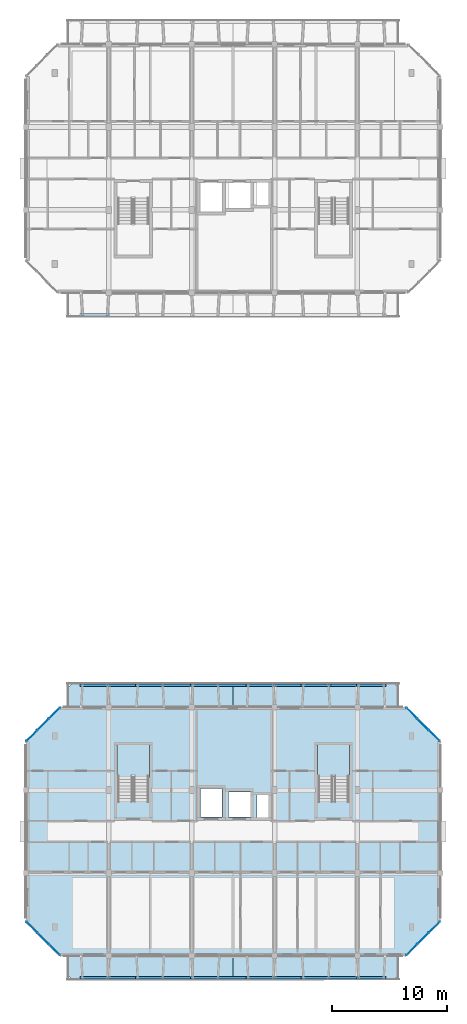
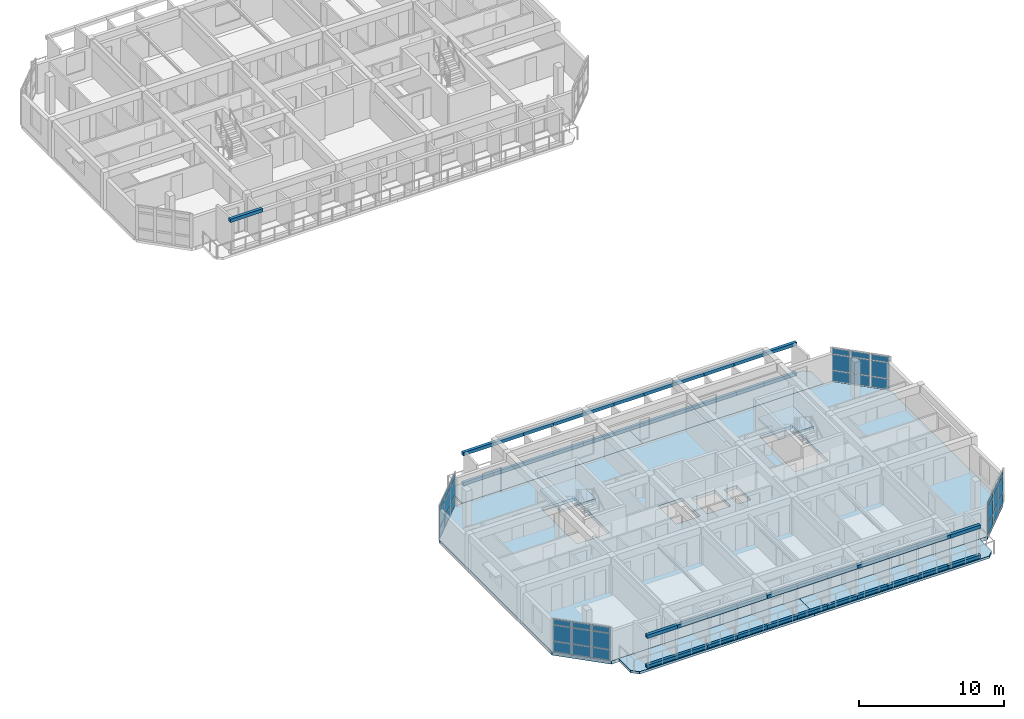
# One storey, part 6 of 22: 81 plates, 7 slabs, 6 elements without a shape of their own.
"""IFC4 building model written with IfcOpenShell, lengths in metres."""

from ifc_helpers import new_model, si_unit, direction, frame, origin, origin_2d, place, context, subcontext, project, spatial, polyline, rectangle, outline, extrude, material, layer, layer_set, type_object, element, aggregate, save


model = new_model("IFC4")

# Units and contexts
model_context = context("Model", 3, precision=1e-05, world=origin(), true_north=direction((0.0, 1.0)))
body_context = subcontext(model_context, "Body", "Model", "MODEL_VIEW")
ifc_project = project(units=[si_unit("LENGTHUNIT", "METRE"), si_unit("AREAUNIT", "SQUARE_METRE"), si_unit("VOLUMEUNIT", "CUBIC_METRE"), si_unit("PLANEANGLEUNIT", "RADIAN"), si_unit("MASSUNIT", "GRAM", prefix="KILO")], contexts=[model_context])

# Site, building, storey
site_placement = place(None, origin())
site = spatial("IfcSite", under=ifc_project, at=site_placement, CompositionType="ELEMENT")
building_placement = place(site_placement, origin())
building = spatial("IfcBuilding", under=site, at=building_placement, Name="Ochrevale Crest", CompositionType="ELEMENT")
storey_placement = place(building_placement, frame((0.0, 0.0, 40.199951171875)))
storey = spatial("IfcBuildingStorey", under=building, at=storey_placement, Name="L12", CompositionType="ELEMENT", Elevation=40.199951171875)

# Curtain wall, plates
ifc_material_1 = material(Name="Anodised aluminium 6063-T5", Category="aluminium")
ifc_layer_1 = layer(ifc_material_1, 0.14990234375)
ifc_layer_set_1 = layer_set([ifc_layer_1], Name="Anodised aluminium 6063-T5")
curtain_wall_type_1 = type_object("IfcCurtainWallType", Name="CW-WG-420x285", PredefinedType="NOTDEFINED", material=ifc_layer_set_1)
curtain_wall_1_placement = place(storey_placement, origin())
curtain_wall_1 = element("IfcCurtainWall", 1, at=curtain_wall_1_placement, inside=storey, type_object=curtain_wall_type_1, Name="Block C L12 chamfered corner wintergarden curtain wall 2", PredefinedType="NOTDEFINED")
ifc_material_2 = material(Name="Double-glazed low-E insulated glass unit", Category="glass")
ifc_layer_2 = layer(ifc_material_2, 0.028076171875)
ifc_layer_set_2 = layer_set([ifc_layer_2], Name="Double-glazed low-E insulated glass unit")
plate_type_1 = type_object("IfcPlateType", Name="CW-PNL-IGU28", PredefinedType="CURTAIN_PANEL", material=ifc_layer_set_2)
plate_1_placement = place(storey_placement, frame((163.11328125, 14.913330078125, 0.06005859375), z_axis=(0.0, 0.0, 1.0), x_axis=(0.707106781187, 0.707106781187, 0.0)))
plate_1 = element("IfcPlate", 2, at=plate_1_placement, type_object=plate_type_1, Name="CW22 panel 1.1", PredefinedType="CURTAIN_PANEL", context=body_context, shape_type="SweptSolid", body=[
    extrude(rectangle(XDim=1.3017578125, YDim=0.028076171875, at=origin_2d()), origin(), (0.0, 0.0, 1.0), 0.860107421875),
])
plate_2_placement = place(storey_placement, frame((163.11328125, 14.913330078125, 0.97998046875), z_axis=(0.0, 0.0, 1.0), x_axis=(0.707106781187, 0.707106781187, 0.0)))
plate_2 = element("IfcPlate", 3, at=plate_2_placement, type_object=plate_type_1, Name="CW22 panel 1.2", PredefinedType="CURTAIN_PANEL", context=body_context, shape_type="SweptSolid", body=[
    extrude(rectangle(XDim=1.3017578125, YDim=0.028076171875, at=origin_2d()), origin(), (0.0, 0.0, 1.0), 1.31494140625),
])
plate_3_placement = place(storey_placement, frame((163.11328125, 14.913330078125, 2.35498046875), z_axis=(0.0, 0.0, 1.0), x_axis=(0.707106781187, 0.707106781187, 0.0)))
plate_3 = element("IfcPlate", 4, at=plate_3_placement, type_object=plate_type_1, Name="CW22 panel 1.3", PredefinedType="CURTAIN_PANEL", context=body_context, shape_type="SweptSolid", body=[
    extrude(rectangle(XDim=1.3017578125, YDim=0.028076171875, at=origin_2d()), origin(), (0.0, 0.0, 1.0), 0.4599609375),
])
plate_4_placement = place(storey_placement, frame((164.10009765625, 15.89990234375, 0.06005859375), z_axis=(0.0, 0.0, 1.0), x_axis=(0.707106781187, 0.707106781187, 0.0)))
plate_4 = element("IfcPlate", 5, at=plate_4_placement, type_object=plate_type_1, Name="CW22 panel 2.1", PredefinedType="CURTAIN_PANEL", context=body_context, shape_type="SweptSolid", body=[
    extrude(rectangle(XDim=1.339111328125, YDim=0.028076171875, at=origin_2d()), origin(), (0.0, 0.0, 1.0), 0.860107421875),
])
plate_5_placement = place(storey_placement, frame((164.10009765625, 15.89990234375, 0.97998046875), z_axis=(0.0, 0.0, 1.0), x_axis=(0.707106781187, 0.707106781187, 0.0)))
plate_5 = element("IfcPlate", 6, at=plate_5_placement, type_object=plate_type_1, Name="CW22 panel 2.2", PredefinedType="CURTAIN_PANEL", context=body_context, shape_type="SweptSolid", body=[
    extrude(rectangle(XDim=1.339111328125, YDim=0.028076171875, at=origin_2d()), origin(), (0.0, 0.0, 1.0), 1.31494140625),
])
plate_6_placement = place(storey_placement, frame((164.10009765625, 15.89990234375, 2.35498046875), z_axis=(0.0, 0.0, 1.0), x_axis=(0.707106781187, 0.707106781187, 0.0)))
plate_6 = element("IfcPlate", 7, at=plate_6_placement, type_object=plate_type_1, Name="CW22 panel 2.3", PredefinedType="CURTAIN_PANEL", context=body_context, shape_type="SweptSolid", body=[
    extrude(rectangle(XDim=1.339111328125, YDim=0.028076171875, at=origin_2d()), origin(), (0.0, 0.0, 1.0), 0.4599609375),
])
plate_7_placement = place(storey_placement, frame((165.086669921875, 16.88671875, 0.06005859375), z_axis=(0.0, 0.0, 1.0), x_axis=(0.707106781187, 0.707106781187, 0.0)))
plate_7 = element("IfcPlate", 8, at=plate_7_placement, type_object=plate_type_1, Name="CW22 panel 3.1", PredefinedType="CURTAIN_PANEL", context=body_context, shape_type="SweptSolid", body=[
    extrude(rectangle(XDim=1.3017578125, YDim=0.028076171875, at=origin_2d()), origin(), (0.0, 0.0, 1.0), 0.860107421875),
])
plate_8_placement = place(storey_placement, frame((165.086669921875, 16.88671875, 0.97998046875), z_axis=(0.0, 0.0, 1.0), x_axis=(0.707106781187, 0.707106781187, 0.0)))
plate_8 = element("IfcPlate", 9, at=plate_8_placement, type_object=plate_type_1, Name="CW22 panel 3.2", PredefinedType="CURTAIN_PANEL", context=body_context, shape_type="SweptSolid", body=[
    extrude(rectangle(XDim=1.3017578125, YDim=0.028076171875, at=origin_2d()), origin(), (0.0, 0.0, 1.0), 1.31494140625),
])
plate_9_placement = place(storey_placement, frame((165.086669921875, 16.88671875, 2.35498046875), z_axis=(0.0, 0.0, 1.0), x_axis=(0.707106781187, 0.707106781187, 0.0)))
plate_9 = element("IfcPlate", 10, at=plate_9_placement, type_object=plate_type_1, Name="CW22 panel 3.3", PredefinedType="CURTAIN_PANEL", context=body_context, shape_type="SweptSolid", body=[
    extrude(rectangle(XDim=1.3017578125, YDim=0.028076171875, at=origin_2d()), origin(), (0.0, 0.0, 1.0), 0.4599609375),
])
aggregate(curtain_wall_1, [plate_1, plate_2, plate_3, plate_4, plate_5, plate_6, plate_7, plate_8, plate_9])

ifc_layer_3 = layer(ifc_material_1, 0.14990234375)
ifc_layer_set_3 = layer_set([ifc_layer_3], Name="Anodised aluminium 6063-T5")
curtain_wall_type_2 = type_object("IfcCurtainWallType", Name="CW-WG-240x285", PredefinedType="NOTDEFINED", material=ifc_layer_set_3)
curtain_wall_2_placement = place(storey_placement, origin())
curtain_wall_2 = element("IfcCurtainWall", 11, at=curtain_wall_2_placement, inside=storey, type_object=curtain_wall_type_2, Name="Block C L12 chamfered corner wintergarden curtain wall 8", PredefinedType="NOTDEFINED")
plate_10_placement = place(storey_placement, frame((130.11328125, 16.88671875, 0.06005859375), z_axis=(0.0, 0.0, 1.0), x_axis=(0.707106781187, -0.707106781187, 0.0)))
plate_10 = element("IfcPlate", 12, at=plate_10_placement, type_object=plate_type_1, Name="CW15 panel 1.1", PredefinedType="CURTAIN_PANEL", context=body_context, shape_type="SweptSolid", body=[
    extrude(rectangle(XDim=1.3017578125, YDim=0.028076171875, at=origin_2d()), origin(), (0.0, 0.0, 1.0), 0.860107421875),
])
plate_11_placement = place(storey_placement, frame((130.11328125, 16.88671875, 0.97998046875), z_axis=(0.0, 0.0, 1.0), x_axis=(0.707106781187, -0.707106781187, 0.0)))
plate_11 = element("IfcPlate", 13, at=plate_11_placement, type_object=plate_type_1, Name="CW15 panel 1.2", PredefinedType="CURTAIN_PANEL", context=body_context, shape_type="SweptSolid", body=[
    extrude(rectangle(XDim=1.3017578125, YDim=0.028076171875, at=origin_2d()), origin(), (0.0, 0.0, 1.0), 1.31494140625),
])
plate_12_placement = place(storey_placement, frame((130.11328125, 16.88671875, 2.35498046875), z_axis=(0.0, 0.0, 1.0), x_axis=(0.707106781187, -0.707106781187, 0.0)))
plate_12 = element("IfcPlate", 14, at=plate_12_placement, type_object=plate_type_1, Name="CW15 panel 1.3", PredefinedType="CURTAIN_PANEL", context=body_context, shape_type="SweptSolid", body=[
    extrude(rectangle(XDim=1.3017578125, YDim=0.028076171875, at=origin_2d()), origin(), (0.0, 0.0, 1.0), 0.4599609375),
])
plate_13_placement = place(storey_placement, frame((131.10009765625, 15.89990234375, 0.06005859375), z_axis=(0.0, 0.0, 1.0), x_axis=(0.707106781187, -0.707106781187, 0.0)))
plate_13 = element("IfcPlate", 15, at=plate_13_placement, type_object=plate_type_1, Name="CW15 panel 2.1", PredefinedType="CURTAIN_PANEL", context=body_context, shape_type="SweptSolid", body=[
    extrude(rectangle(XDim=1.339111328125, YDim=0.028076171875, at=origin_2d()), origin(), (0.0, 0.0, 1.0), 0.860107421875),
])
plate_14_placement = place(storey_placement, frame((131.10009765625, 15.89990234375, 0.97998046875), z_axis=(0.0, 0.0, 1.0), x_axis=(0.707106781187, -0.707106781187, 0.0)))
plate_14 = element("IfcPlate", 16, at=plate_14_placement, type_object=plate_type_1, Name="CW15 panel 2.2", PredefinedType="CURTAIN_PANEL", context=body_context, shape_type="SweptSolid", body=[
    extrude(rectangle(XDim=1.339111328125, YDim=0.028076171875, at=origin_2d()), origin(), (0.0, 0.0, 1.0), 1.31494140625),
])
plate_15_placement = place(storey_placement, frame((131.10009765625, 15.89990234375, 2.35498046875), z_axis=(0.0, 0.0, 1.0), x_axis=(0.707106781187, -0.707106781187, 0.0)))
plate_15 = element("IfcPlate", 17, at=plate_15_placement, type_object=plate_type_1, Name="CW15 panel 2.3", PredefinedType="CURTAIN_PANEL", context=body_context, shape_type="SweptSolid", body=[
    extrude(rectangle(XDim=1.339111328125, YDim=0.028076171875, at=origin_2d()), origin(), (0.0, 0.0, 1.0), 0.4599609375),
])
plate_16_placement = place(storey_placement, frame((132.086669921875, 14.913330078125, 0.06005859375), z_axis=(0.0, 0.0, 1.0), x_axis=(0.707106781187, -0.707106781187, 0.0)))
plate_16 = element("IfcPlate", 18, at=plate_16_placement, type_object=plate_type_1, Name="CW15 panel 3.1", PredefinedType="CURTAIN_PANEL", context=body_context, shape_type="SweptSolid", body=[
    extrude(rectangle(XDim=1.3017578125, YDim=0.028076171875, at=origin_2d()), origin(), (0.0, 0.0, 1.0), 0.860107421875),
])
plate_17_placement = place(storey_placement, frame((132.086669921875, 14.913330078125, 0.97998046875), z_axis=(0.0, 0.0, 1.0), x_axis=(0.707106781187, -0.707106781187, 0.0)))
plate_17 = element("IfcPlate", 19, at=plate_17_placement, type_object=plate_type_1, Name="CW15 panel 3.2", PredefinedType="CURTAIN_PANEL", context=body_context, shape_type="SweptSolid", body=[
    extrude(rectangle(XDim=1.3017578125, YDim=0.028076171875, at=origin_2d()), origin(), (0.0, 0.0, 1.0), 1.31494140625),
])
plate_18_placement = place(storey_placement, frame((132.086669921875, 14.913330078125, 2.35498046875), z_axis=(0.0, 0.0, 1.0), x_axis=(0.707106781187, -0.707106781187, 0.0)))
plate_18 = element("IfcPlate", 20, at=plate_18_placement, type_object=plate_type_1, Name="CW15 panel 3.3", PredefinedType="CURTAIN_PANEL", context=body_context, shape_type="SweptSolid", body=[
    extrude(rectangle(XDim=1.3017578125, YDim=0.028076171875, at=origin_2d()), origin(), (0.0, 0.0, 1.0), 0.4599609375),
])
aggregate(curtain_wall_2, [plate_10, plate_11, plate_12, plate_13, plate_14, plate_15, plate_16, plate_17, plate_18])

ifc_layer_4 = layer(ifc_material_1, 0.14990234375)
ifc_layer_set_4 = layer_set([ifc_layer_4], Name="Anodised aluminium 6063-T5")
curtain_wall_type_3 = type_object("IfcCurtainWallType", Name="CW-WG-280x285", PredefinedType="NOTDEFINED", material=ifc_layer_set_4)
curtain_wall_3_placement = place(storey_placement, origin())
curtain_wall_3 = element("IfcCurtainWall", 21, at=curtain_wall_3_placement, inside=storey, type_object=curtain_wall_type_3, Name="Block C L12 chamfered corner wintergarden curtain wall 4", PredefinedType="NOTDEFINED")
ifc_material_3 = material(Name="Acoustic laminated low-E insulated glass unit", Category="glass")
ifc_layer_5 = layer(ifc_material_3, 0.0380859375)
ifc_layer_set_5 = layer_set([ifc_layer_5], Name="Acoustic laminated low-E insulated glass unit")
plate_type_2 = type_object("IfcPlateType", Name="CW-PNL-IGU38", PredefinedType="CURTAIN_PANEL", material=ifc_layer_set_5)
plate_19_placement = place(storey_placement, frame((165.086669921875, 33.51318359375, 0.06005859375), z_axis=(0.0, 0.0, 1.0), x_axis=(-0.707106781187, 0.707106781187, 0.0)))
plate_19 = element("IfcPlate", 22, at=plate_19_placement, type_object=plate_type_2, Name="CW16 panel 1.1", PredefinedType="CURTAIN_PANEL", context=body_context, shape_type="SweptSolid", body=[
    extrude(rectangle(XDim=1.3017578125, YDim=0.0380859375, at=origin_2d()), origin(), (0.0, 0.0, 1.0), 0.860107421875),
])
plate_20_placement = place(storey_placement, frame((165.086669921875, 33.51318359375, 0.97998046875), z_axis=(0.0, 0.0, 1.0), x_axis=(-0.707106781187, 0.707106781187, 0.0)))
plate_20 = element("IfcPlate", 23, at=plate_20_placement, type_object=plate_type_2, Name="CW16 panel 1.2", PredefinedType="CURTAIN_PANEL", context=body_context, shape_type="SweptSolid", body=[
    extrude(rectangle(XDim=1.3017578125, YDim=0.0380859375, at=origin_2d()), origin(), (0.0, 0.0, 1.0), 1.31494140625),
])
plate_21_placement = place(storey_placement, frame((165.086669921875, 33.51318359375, 2.35498046875), z_axis=(0.0, 0.0, 1.0), x_axis=(-0.707106781187, 0.707106781187, 0.0)))
plate_21 = element("IfcPlate", 24, at=plate_21_placement, type_object=plate_type_2, Name="CW16 panel 1.3", PredefinedType="CURTAIN_PANEL", context=body_context, shape_type="SweptSolid", body=[
    extrude(rectangle(XDim=1.3017578125, YDim=0.0380859375, at=origin_2d()), origin(), (0.0, 0.0, 1.0), 0.4599609375),
])
plate_22_placement = place(storey_placement, frame((164.10009765625, 34.5, 0.06005859375), z_axis=(0.0, 0.0, 1.0), x_axis=(-0.707106781187, 0.707106781187, 0.0)))
plate_22 = element("IfcPlate", 25, at=plate_22_placement, type_object=plate_type_2, Name="CW16 panel 2.1", PredefinedType="CURTAIN_PANEL", context=body_context, shape_type="SweptSolid", body=[
    extrude(rectangle(XDim=1.339111328125, YDim=0.0380859375, at=origin_2d()), origin(), (0.0, 0.0, 1.0), 0.860107421875),
])
plate_23_placement = place(storey_placement, frame((164.10009765625, 34.5, 0.97998046875), z_axis=(0.0, 0.0, 1.0), x_axis=(-0.707106781187, 0.707106781187, 0.0)))
plate_23 = element("IfcPlate", 26, at=plate_23_placement, type_object=plate_type_2, Name="CW16 panel 2.2", PredefinedType="CURTAIN_PANEL", context=body_context, shape_type="SweptSolid", body=[
    extrude(rectangle(XDim=1.339111328125, YDim=0.0380859375, at=origin_2d()), origin(), (0.0, 0.0, 1.0), 1.31494140625),
])
plate_24_placement = place(storey_placement, frame((164.10009765625, 34.5, 2.35498046875), z_axis=(0.0, 0.0, 1.0), x_axis=(-0.707106781187, 0.707106781187, 0.0)))
plate_24 = element("IfcPlate", 27, at=plate_24_placement, type_object=plate_type_2, Name="CW16 panel 2.3", PredefinedType="CURTAIN_PANEL", context=body_context, shape_type="SweptSolid", body=[
    extrude(rectangle(XDim=1.339111328125, YDim=0.0380859375, at=origin_2d()), origin(), (0.0, 0.0, 1.0), 0.4599609375),
])
plate_25_placement = place(storey_placement, frame((163.11328125, 35.48681640625, 0.06005859375), z_axis=(0.0, 0.0, 1.0), x_axis=(-0.707106781187, 0.707106781187, 0.0)))
plate_25 = element("IfcPlate", 28, at=plate_25_placement, type_object=plate_type_2, Name="CW16 panel 3.1", PredefinedType="CURTAIN_PANEL", context=body_context, shape_type="SweptSolid", body=[
    extrude(rectangle(XDim=1.3017578125, YDim=0.0380859375, at=origin_2d()), origin(), (0.0, 0.0, 1.0), 0.860107421875),
])
plate_26_placement = place(storey_placement, frame((163.11328125, 35.48681640625, 0.97998046875), z_axis=(0.0, 0.0, 1.0), x_axis=(-0.707106781187, 0.707106781187, 0.0)))
plate_26 = element("IfcPlate", 29, at=plate_26_placement, type_object=plate_type_2, Name="CW16 panel 3.2", PredefinedType="CURTAIN_PANEL", context=body_context, shape_type="SweptSolid", body=[
    extrude(rectangle(XDim=1.3017578125, YDim=0.0380859375, at=origin_2d()), origin(), (0.0, 0.0, 1.0), 1.31494140625),
])
plate_27_placement = place(storey_placement, frame((163.11328125, 35.48681640625, 2.35498046875), z_axis=(0.0, 0.0, 1.0), x_axis=(-0.707106781187, 0.707106781187, 0.0)))
plate_27 = element("IfcPlate", 30, at=plate_27_placement, type_object=plate_type_2, Name="CW16 panel 3.3", PredefinedType="CURTAIN_PANEL", context=body_context, shape_type="SweptSolid", body=[
    extrude(rectangle(XDim=1.3017578125, YDim=0.0380859375, at=origin_2d()), origin(), (0.0, 0.0, 1.0), 0.4599609375),
])
aggregate(curtain_wall_3, [plate_19, plate_20, plate_21, plate_22, plate_23, plate_24, plate_25, plate_26, plate_27])

ifc_layer_6 = layer(ifc_material_1, 0.14990234375)
ifc_layer_set_6 = layer_set([ifc_layer_6], Name="Anodised aluminium 6063-T5")
curtain_wall_type_4 = type_object("IfcCurtainWallType", Name="CW-WG-360x285", PredefinedType="NOTDEFINED", material=ifc_layer_set_6)
curtain_wall_4_placement = place(storey_placement, origin())
curtain_wall_4 = element("IfcCurtainWall", 31, at=curtain_wall_4_placement, inside=storey, type_object=curtain_wall_type_4, Name="Block C L12 chamfered corner wintergarden curtain wall 6", PredefinedType="NOTDEFINED")
plate_28_placement = place(storey_placement, frame((132.086669921875, 35.48681640625, 0.06005859375), z_axis=(0.0, 0.0, 1.0), x_axis=(-0.707106781187, -0.707106781187, 0.0)))
plate_28 = element("IfcPlate", 32, at=plate_28_placement, type_object=plate_type_2, Name="CW18 panel 1.1", PredefinedType="CURTAIN_PANEL", context=body_context, shape_type="SweptSolid", body=[
    extrude(rectangle(XDim=1.3017578125, YDim=0.0380859375, at=origin_2d()), origin(), (0.0, 0.0, 1.0), 0.860107421875),
])
plate_29_placement = place(storey_placement, frame((132.086669921875, 35.48681640625, 0.97998046875), z_axis=(0.0, 0.0, 1.0), x_axis=(-0.707106781187, -0.707106781187, 0.0)))
plate_29 = element("IfcPlate", 33, at=plate_29_placement, type_object=plate_type_2, Name="CW18 panel 1.2", PredefinedType="CURTAIN_PANEL", context=body_context, shape_type="SweptSolid", body=[
    extrude(rectangle(XDim=1.3017578125, YDim=0.0380859375, at=origin_2d()), origin(), (0.0, 0.0, 1.0), 1.31494140625),
])
plate_30_placement = place(storey_placement, frame((132.086669921875, 35.48681640625, 2.35498046875), z_axis=(0.0, 0.0, 1.0), x_axis=(-0.707106781187, -0.707106781187, 0.0)))
plate_30 = element("IfcPlate", 34, at=plate_30_placement, type_object=plate_type_2, Name="CW18 panel 1.3", PredefinedType="CURTAIN_PANEL", context=body_context, shape_type="SweptSolid", body=[
    extrude(rectangle(XDim=1.3017578125, YDim=0.0380859375, at=origin_2d()), origin(), (0.0, 0.0, 1.0), 0.4599609375),
])
plate_31_placement = place(storey_placement, frame((131.10009765625, 34.5, 0.06005859375), z_axis=(0.0, 0.0, 1.0), x_axis=(-0.707106781187, -0.707106781187, 0.0)))
plate_31 = element("IfcPlate", 35, at=plate_31_placement, type_object=plate_type_2, Name="CW18 panel 2.1", PredefinedType="CURTAIN_PANEL", context=body_context, shape_type="SweptSolid", body=[
    extrude(rectangle(XDim=1.339111328125, YDim=0.0380859375, at=origin_2d()), origin(), (0.0, 0.0, 1.0), 0.860107421875),
])
plate_32_placement = place(storey_placement, frame((131.10009765625, 34.5, 0.97998046875), z_axis=(0.0, 0.0, 1.0), x_axis=(-0.707106781187, -0.707106781187, 0.0)))
plate_32 = element("IfcPlate", 36, at=plate_32_placement, type_object=plate_type_2, Name="CW18 panel 2.2", PredefinedType="CURTAIN_PANEL", context=body_context, shape_type="SweptSolid", body=[
    extrude(rectangle(XDim=1.339111328125, YDim=0.0380859375, at=origin_2d()), origin(), (0.0, 0.0, 1.0), 1.31494140625),
])
plate_33_placement = place(storey_placement, frame((131.10009765625, 34.5, 2.35498046875), z_axis=(0.0, 0.0, 1.0), x_axis=(-0.707106781187, -0.707106781187, 0.0)))
plate_33 = element("IfcPlate", 37, at=plate_33_placement, type_object=plate_type_2, Name="CW18 panel 2.3", PredefinedType="CURTAIN_PANEL", context=body_context, shape_type="SweptSolid", body=[
    extrude(rectangle(XDim=1.339111328125, YDim=0.0380859375, at=origin_2d()), origin(), (0.0, 0.0, 1.0), 0.4599609375),
])
plate_34_placement = place(storey_placement, frame((130.11328125, 33.51318359375, 0.06005859375), z_axis=(0.0, 0.0, 1.0), x_axis=(-0.707106781187, -0.707106781187, 0.0)))
plate_34 = element("IfcPlate", 38, at=plate_34_placement, type_object=plate_type_2, Name="CW18 panel 3.1", PredefinedType="CURTAIN_PANEL", context=body_context, shape_type="SweptSolid", body=[
    extrude(rectangle(XDim=1.3017578125, YDim=0.0380859375, at=origin_2d()), origin(), (0.0, 0.0, 1.0), 0.860107421875),
])
plate_35_placement = place(storey_placement, frame((130.11328125, 33.51318359375, 0.97998046875), z_axis=(0.0, 0.0, 1.0), x_axis=(-0.707106781187, -0.707106781187, 0.0)))
plate_35 = element("IfcPlate", 39, at=plate_35_placement, type_object=plate_type_2, Name="CW18 panel 3.2", PredefinedType="CURTAIN_PANEL", context=body_context, shape_type="SweptSolid", body=[
    extrude(rectangle(XDim=1.3017578125, YDim=0.0380859375, at=origin_2d()), origin(), (0.0, 0.0, 1.0), 1.31494140625),
])
plate_36_placement = place(storey_placement, frame((130.11328125, 33.51318359375, 2.35498046875), z_axis=(0.0, 0.0, 1.0), x_axis=(-0.707106781187, -0.707106781187, 0.0)))
plate_36 = element("IfcPlate", 40, at=plate_36_placement, type_object=plate_type_2, Name="CW18 panel 3.3", PredefinedType="CURTAIN_PANEL", context=body_context, shape_type="SweptSolid", body=[
    extrude(rectangle(XDim=1.3017578125, YDim=0.0380859375, at=origin_2d()), origin(), (0.0, 0.0, 1.0), 0.4599609375),
])
aggregate(curtain_wall_4, [plate_28, plate_29, plate_30, plate_31, plate_32, plate_33, plate_34, plate_35, plate_36])

# Plates
ifc_material_4 = material(Name="Precast concrete C40/50", Category="concrete")
ifc_layer_7 = layer(ifc_material_4, 0.06005859375)
ifc_layer_set_7 = layer_set([ifc_layer_7], Name="Precast concrete C40/50")
plate_type_3 = type_object("IfcPlateType", Name="PLT-HC-HEAD-60", PredefinedType="USERDEFINED", material=ifc_layer_set_7)
for number, where, z_axis, x_axis, name in (
    (41, (135.60009765625, 12.5, 2.52001953125), (0.0, 0.0, 1.0), (1.0, 0.0, 0.0), "Block C L12 S honeycomb arched lintel fascia 1"),
    (42, (138.0, 12.5, 2.52001953125), (0.0, 0.0, 1.0), (1.0, 0.0, 0.0), "Block C L12 S honeycomb arched lintel fascia 2"),
    (43, (140.39990234375, 12.5, 2.52001953125), (0.0, 0.0, 1.0), (1.0, 0.0, 0.0), "Block C L12 S honeycomb arched lintel fascia 3"),
    (44, (142.800048828125, 12.5, 2.52001953125), (0.0, 0.0, 1.0), (1.0, 0.0, 0.0), "Block C L12 S honeycomb arched lintel fascia 4"),
    (45, (145.199951171875, 12.5, 2.52001953125), (0.0, 0.0, 1.0), (1.0, 0.0, 0.0), "Block C L12 S honeycomb arched lintel fascia 5"),
    (46, (147.60009765625, 12.5, 2.52001953125), (0.0, 0.0, 1.0), (1.0, 0.0, 0.0), "Block C L12 S honeycomb arched lintel fascia 6"),
    (47, (150.0, 12.5, 2.52001953125), (0.0, 0.0, 1.0), (1.0, 0.0, 0.0), "Block C L12 S honeycomb arched lintel fascia 7"),
    (48, (152.39990234375, 12.5, 2.52001953125), (0.0, 0.0, 1.0), (1.0, 0.0, 0.0), "Block C L12 S honeycomb arched lintel fascia 8"),
    (49, (154.800048828125, 12.5, 2.52001953125), (0.0, 0.0, 1.0), (1.0, 0.0, 0.0), "Block C L12 S honeycomb arched lintel fascia 9"),
    (50, (157.199951171875, 12.5, 2.52001953125), (0.0, 0.0, 1.0), (1.0, 0.0, 0.0), "Block C L12 S honeycomb arched lintel fascia 10"),
    (51, (159.60009765625, 12.5, 2.52001953125), (0.0, 0.0, 1.0), (1.0, 0.0, 0.0), "Block C L12 S honeycomb arched lintel fascia 11"),
    (52, (135.60009765625, 37.89990234375, 2.52001953125), (0.0, 0.0, 1.0), (1.0, 0.0, 0.0), "Block C L12 N honeycomb arched lintel fascia 1"),
    (53, (138.0, 37.89990234375, 2.52001953125), (0.0, 0.0, 1.0), (1.0, 0.0, 0.0), "Block C L12 N honeycomb arched lintel fascia 2"),
    (54, (140.39990234375, 37.89990234375, 2.52001953125), (0.0, 0.0, 1.0), (1.0, 0.0, 0.0), "Block C L12 N honeycomb arched lintel fascia 3"),
    (55, (142.800048828125, 37.89990234375, 2.52001953125), (0.0, 0.0, 1.0), (1.0, 0.0, 0.0), "Block C L12 N honeycomb arched lintel fascia 4"),
    (56, (145.199951171875, 37.89990234375, 2.52001953125), (0.0, 0.0, 1.0), (1.0, 0.0, 0.0), "Block C L12 N honeycomb arched lintel fascia 5"),
    (57, (147.60009765625, 37.89990234375, 2.52001953125), (0.0, 0.0, 1.0), (1.0, 0.0, 0.0), "Block C L12 N honeycomb arched lintel fascia 6"),
    (58, (150.0, 37.89990234375, 2.52001953125), (0.0, 0.0, 1.0), (1.0, 0.0, 0.0), "Block C L12 N honeycomb arched lintel fascia 7"),
    (59, (152.39990234375, 37.89990234375, 2.52001953125), (0.0, 0.0, 1.0), (1.0, 0.0, 0.0), "Block C L12 N honeycomb arched lintel fascia 8"),
    (60, (154.800048828125, 37.89990234375, 2.52001953125), (0.0, 0.0, 1.0), (1.0, 0.0, 0.0), "Block C L12 N honeycomb arched lintel fascia 9"),
    (61, (157.199951171875, 37.89990234375, 2.52001953125), (0.0, 0.0, 1.0), (1.0, 0.0, 0.0), "Block C L12 N honeycomb arched lintel fascia 10"),
    (62, (159.60009765625, 37.89990234375, 2.52001953125), (0.0, 0.0, 1.0), (1.0, 0.0, 0.0), "Block C L12 N honeycomb arched lintel fascia 11"),
    (63, (135.60009765625, 70.10009765625, 2.669921875), (0.0, 0.0, 1.0), (1.0, 0.0, 0.0), "Block D L12 S honeycomb arched lintel fascia 1"),
):
    element("IfcPlate", number, at=place(storey_placement, frame(where, z_axis=z_axis, x_axis=x_axis)), inside=storey, type_object=plate_type_3, Name=name, ObjectType="FACADE FASCIA PLATE", PredefinedType="USERDEFINED", context=body_context, shape_type="SweptSolid", body=[
        extrude(rectangle(XDim=2.60009765625, YDim=0.239990234375, at=origin_2d()), origin(), (0.0, 0.0, 1.0), 0.280029296875),
    ])
ifc_layer_8 = layer(ifc_material_4, 0.044921875)
ifc_layer_set_8 = layer_set([ifc_layer_8], Name="Precast concrete C40/50")
plate_type_4 = type_object("IfcPlateType", Name="PLT-HC-SILL-45", PredefinedType="USERDEFINED", material=ifc_layer_set_8)
for number, where, z_axis, x_axis, name in (
    (64, (135.60009765625, 12.5, 0.0), (0.0, 0.0, 1.0), (1.0, 0.0, 0.0), "Block C L12 S honeycomb sill coping plate 1"),
    (65, (138.0, 12.5, 0.0), (0.0, 0.0, 1.0), (1.0, 0.0, 0.0), "Block C L12 S honeycomb sill coping plate 2"),
    (66, (140.39990234375, 12.5, 0.0), (0.0, 0.0, 1.0), (1.0, 0.0, 0.0), "Block C L12 S honeycomb sill coping plate 3"),
    (67, (142.800048828125, 12.5, 0.0), (0.0, 0.0, 1.0), (1.0, 0.0, 0.0), "Block C L12 S honeycomb sill coping plate 4"),
    (68, (145.199951171875, 12.5, 0.0), (0.0, 0.0, 1.0), (1.0, 0.0, 0.0), "Block C L12 S honeycomb sill coping plate 5"),
    (69, (147.60009765625, 12.5, 0.0), (0.0, 0.0, 1.0), (1.0, 0.0, 0.0), "Block C L12 S honeycomb sill coping plate 6"),
    (70, (150.0, 12.5, 0.0), (0.0, 0.0, 1.0), (1.0, 0.0, 0.0), "Block C L12 S honeycomb sill coping plate 7"),
    (71, (152.39990234375, 12.5, 0.0), (0.0, 0.0, 1.0), (1.0, 0.0, 0.0), "Block C L12 S honeycomb sill coping plate 8"),
    (72, (154.800048828125, 12.5, 0.0), (0.0, 0.0, 1.0), (1.0, 0.0, 0.0), "Block C L12 S honeycomb sill coping plate 9"),
    (73, (157.199951171875, 12.5, 0.0), (0.0, 0.0, 1.0), (1.0, 0.0, 0.0), "Block C L12 S honeycomb sill coping plate 10"),
    (74, (159.60009765625, 12.5, 0.0), (0.0, 0.0, 1.0), (1.0, 0.0, 0.0), "Block C L12 S honeycomb sill coping plate 11"),
    (75, (135.60009765625, 37.89990234375, 0.0), (0.0, 0.0, 1.0), (1.0, 0.0, 0.0), "Block C L12 N honeycomb sill coping plate 1"),
    (76, (138.0, 37.89990234375, 0.0), (0.0, 0.0, 1.0), (1.0, 0.0, 0.0), "Block C L12 N honeycomb sill coping plate 2"),
    (77, (140.39990234375, 37.89990234375, 0.0), (0.0, 0.0, 1.0), (1.0, 0.0, 0.0), "Block C L12 N honeycomb sill coping plate 3"),
    (78, (142.800048828125, 37.89990234375, 0.0), (0.0, 0.0, 1.0), (1.0, 0.0, 0.0), "Block C L12 N honeycomb sill coping plate 4"),
    (79, (145.199951171875, 37.89990234375, 0.0), (0.0, 0.0, 1.0), (1.0, 0.0, 0.0), "Block C L12 N honeycomb sill coping plate 5"),
    (80, (147.60009765625, 37.89990234375, 0.0), (0.0, 0.0, 1.0), (1.0, 0.0, 0.0), "Block C L12 N honeycomb sill coping plate 6"),
    (81, (150.0, 37.89990234375, 0.0), (0.0, 0.0, 1.0), (1.0, 0.0, 0.0), "Block C L12 N honeycomb sill coping plate 7"),
    (82, (152.39990234375, 37.89990234375, 0.0), (0.0, 0.0, 1.0), (1.0, 0.0, 0.0), "Block C L12 N honeycomb sill coping plate 8"),
    (83, (154.800048828125, 37.89990234375, 0.0), (0.0, 0.0, 1.0), (1.0, 0.0, 0.0), "Block C L12 N honeycomb sill coping plate 9"),
    (84, (157.199951171875, 37.89990234375, 0.0), (0.0, 0.0, 1.0), (1.0, 0.0, 0.0), "Block C L12 N honeycomb sill coping plate 10"),
    (85, (159.60009765625, 37.89990234375, 0.0), (0.0, 0.0, 1.0), (1.0, 0.0, 0.0), "Block C L12 N honeycomb sill coping plate 11"),
):
    element("IfcPlate", number, at=place(storey_placement, frame(where, z_axis=z_axis, x_axis=x_axis)), inside=storey, type_object=plate_type_4, Name=name, ObjectType="SILL COPING PLATE", PredefinedType="USERDEFINED", context=body_context, shape_type="SweptSolid", body=[
        extrude(rectangle(XDim=2.60009765625, YDim=0.219970703125, at=origin_2d()), origin(), (0.0, 0.0, 1.0), 0.260009765625),
    ])

# Slabs
ifc_layer_9 = layer(ifc_material_4, 0.199951171875)
ifc_layer_set_9 = layer_set([ifc_layer_9], Name="Precast concrete C40/50")
slab_type_1 = type_object("IfcSlabType", Name="SLB-BAL-200", PredefinedType="FLOOR", material=ifc_layer_set_9)
slab_1_placement = place(storey_placement, frame((0.0, 0.0, -0.199951171875)))
element("IfcSlab", 86, at=slab_1_placement, inside=storey, type_object=slab_type_1, Name="Block C L12 S1 precast loggia balcony slab", PredefinedType="FLOOR", context=body_context, shape_type="SweptSolid", body=[
    extrude(outline(polyline([(133.64990234375, 12.300048828125), (147.60009765625, 12.300048828125), (147.60009765625, 14.39990234375), (133.199951171875, 14.39990234375), (133.199951171875, 12.75), (133.64990234375, 12.300048828125)])), origin(), (0.0, 0.0, 1.0), 0.199951171875),
])
slab_2_placement = place(storey_placement, frame((0.0, 0.0, -0.199951171875)))
element("IfcSlab", 87, at=slab_2_placement, inside=storey, type_object=slab_type_1, Name="Block C L12 S2 precast loggia balcony slab", PredefinedType="FLOOR", context=body_context, shape_type="SweptSolid", body=[
    extrude(outline(polyline([(147.60009765625, 12.300048828125), (161.550048828125, 12.300048828125), (162.0, 12.75), (162.0, 14.39990234375), (147.60009765625, 14.39990234375), (147.60009765625, 12.300048828125)])), origin(), (0.0, 0.0, 1.0), 0.199951171875),
])
slab_3_placement = place(storey_placement, frame((0.0, 0.0, -0.199951171875)))
element("IfcSlab", 88, at=slab_3_placement, inside=storey, type_object=slab_type_1, Name="Block C L12 N1 precast loggia balcony slab", PredefinedType="FLOOR", context=body_context, shape_type="SweptSolid", body=[
    extrude(outline(polyline([(133.199951171875, 36.0), (147.60009765625, 36.0), (147.60009765625, 38.10009765625), (133.64990234375, 38.10009765625), (133.199951171875, 37.64990234375), (133.199951171875, 36.0)])), origin(), (0.0, 0.0, 1.0), 0.199951171875),
])
slab_4_placement = place(storey_placement, frame((0.0, 0.0, -0.199951171875)))
element("IfcSlab", 89, at=slab_4_placement, inside=storey, type_object=slab_type_1, Name="Block C L12 N2 precast loggia balcony slab", PredefinedType="FLOOR", context=body_context, shape_type="SweptSolid", body=[
    extrude(outline(polyline([(147.60009765625, 36.0), (162.0, 36.0), (162.0, 37.64990234375), (161.550048828125, 38.10009765625), (147.60009765625, 38.10009765625), (147.60009765625, 36.0)])), origin(), (0.0, 0.0, 1.0), 0.199951171875),
])
ifc_layer_10 = layer(ifc_material_4, 0.27490234375)
ifc_layer_set_10 = layer_set([ifc_layer_10], Name="Precast concrete C40/50")
slab_type_2 = type_object("IfcSlabType", Name="SLB-RES-275", PredefinedType="FLOOR", material=ifc_layer_set_10)
slab_5_placement = place(storey_placement, frame((0.0, 0.0, -0.27490234375)))
element("IfcSlab", 90, at=slab_5_placement, inside=storey, type_object=slab_type_2, Name="Block C L12 composite hollowcore floor slab", PredefinedType="FLOOR", context=body_context, shape_type="SweptSolid", body=[
    extrude(outline(polyline([(132.60009765625, 14.39990234375), (162.60009765625, 14.39990234375), (165.60009765625, 17.39990234375), (165.60009765625, 33.0), (162.60009765625, 36.0), (132.60009765625, 36.0), (129.60009765625, 33.0), (129.60009765625, 17.39990234375), (132.60009765625, 14.39990234375)]), holes=[polyline([(140.25, 27.824951171875), (140.25, 32.72509765625), (137.60009765625, 32.72509765625), (137.60009765625, 27.824951171875), (140.25, 27.824951171875)]), polyline([(157.64990234375, 27.824951171875), (157.64990234375, 32.72509765625), (155.0, 32.72509765625), (155.0, 27.824951171875), (157.64990234375, 27.824951171875)]), polyline([(144.75, 26.449951171875), (146.64990234375, 26.449951171875), (146.64990234375, 28.949951171875), (144.75, 28.949951171875), (144.75, 26.449951171875)]), polyline([(147.199951171875, 26.449951171875), (149.10009765625, 26.449951171875), (149.10009765625, 28.64990234375), (147.199951171875, 28.64990234375), (147.199951171875, 26.449951171875)]), polyline([(149.669921875, 26.419921875), (150.679931640625, 26.419921875), (150.679931640625, 28.3798828125), (149.669921875, 28.3798828125), (149.669921875, 26.419921875)])]), origin(), (0.0, 0.0, 1.0), 0.27490234375),
])

# Stair, slab
stair_type = type_object("IfcStairType", Name="ST-CORE-DOG", PredefinedType="HALF_TURN_STAIR", material=ifc_material_4)
stair_1_placement = place(storey_placement, origin())
stair_1 = element("IfcStair", 91, at=stair_1_placement, inside=storey, type_object=stair_type, Name="L12 Block C Fire Stair 1", PredefinedType="HALF_TURN_STAIR")
ifc_layer_11 = layer(ifc_material_4, 0.199951171875)
ifc_layer_set_11 = layer_set([ifc_layer_11], Name="Precast concrete C40/50")
slab_type_3 = type_object("IfcSlabType", Name="SLB-ST-LAND", PredefinedType="LANDING", material=ifc_layer_set_11)
slab_6_placement = place(storey_placement, frame((0.0, 0.0, 1.375)))
slab_6 = element("IfcSlab", 92, at=slab_6_placement, type_object=slab_type_3, Name="ST-C1 landing 1", PredefinedType="LANDING", context=body_context, shape_type="SweptSolid", body=[
    extrude(outline(polyline([(140.330078125, 29.93505859375), (140.330078125, 32.804931640625), (137.52001953125, 32.804931640625), (137.52001953125, 29.93505859375), (140.330078125, 29.93505859375)])), origin(), (0.0, 0.0, 1.0), 0.199951171875),
])
aggregate(stair_1, [slab_6])

stair_2_placement = place(storey_placement, origin())
stair_2 = element("IfcStair", 93, at=stair_2_placement, inside=storey, type_object=stair_type, Name="L12 Block C Fire Stair 2", PredefinedType="HALF_TURN_STAIR")
slab_7_placement = place(storey_placement, frame((0.0, 0.0, 1.375)))
slab_7 = element("IfcSlab", 94, at=slab_7_placement, type_object=slab_type_3, Name="ST-C2 landing 1", PredefinedType="LANDING", context=body_context, shape_type="SweptSolid", body=[
    extrude(outline(polyline([(157.72998046875, 29.93505859375), (157.72998046875, 32.804931640625), (154.919921875, 32.804931640625), (154.919921875, 29.93505859375), (157.72998046875, 29.93505859375)])), origin(), (0.0, 0.0, 1.0), 0.199951171875),
])
aggregate(stair_2, [slab_7])

save(model, "model.ifc")
